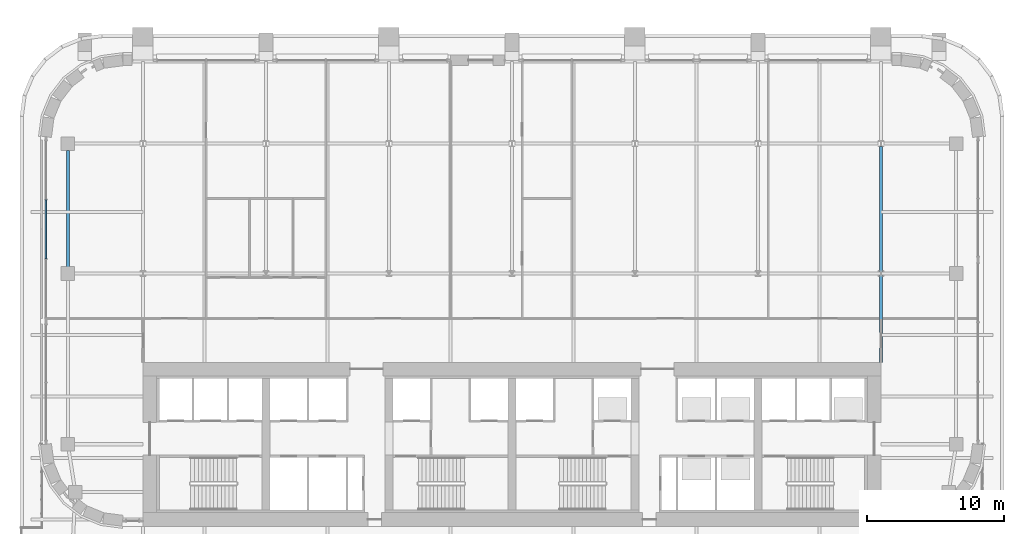
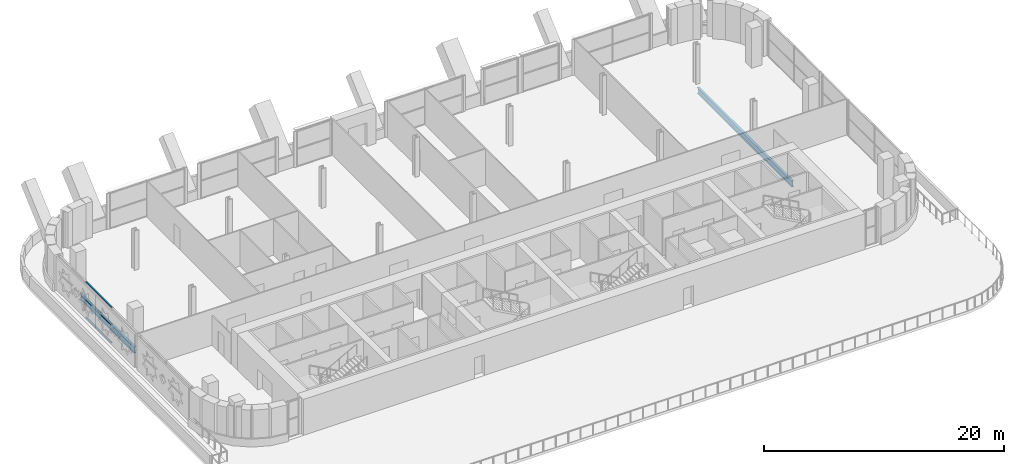
# One storey, part 7 of 26: 3 members, 2 beams, 1 element without a shape of its own.
"""IFC4 building model written with IfcOpenShell, lengths in metres."""

from ifc_helpers import new_model, si_unit, direction, frame, origin, origin_2d, place, context, subcontext, project, spatial, rectangle, i_section, extrude, material, material_profile, profile_set, type_object, element, aggregate, save


model = new_model("IFC4")

# Units and contexts
model_context = context("Model", 3, precision=1e-05, world=origin(), true_north=direction((0.0, 1.0)))
body_context = subcontext(model_context, "Body", "Model", "MODEL_VIEW")
ifc_project = project(units=[si_unit("LENGTHUNIT", "METRE"), si_unit("AREAUNIT", "SQUARE_METRE"), si_unit("VOLUMEUNIT", "CUBIC_METRE"), si_unit("PLANEANGLEUNIT", "RADIAN"), si_unit("MASSUNIT", "GRAM", prefix="KILO")], contexts=[model_context])

# Site, building, storey
site_placement = place(None, origin())
site = spatial("IfcSite", under=ifc_project, at=site_placement, CompositionType="ELEMENT")
building_placement = place(site_placement, origin())
building = spatial("IfcBuilding", under=site, at=building_placement, Name="Zellij Exchange Tower", CompositionType="ELEMENT")
storey_placement = place(building_placement, frame((0.0, 0.0, 156.5)))
storey = spatial("IfcBuildingStorey", under=building, at=storey_placement, Name="L35", CompositionType="ELEMENT", Elevation=156.5)

# Curtain wall, members
ifc_material_1 = material(Name="Aluminium frame, clear insulating glass", Category="aluminium")
curtain_wall_type = type_object("IfcCurtainWallType", Name="ENV-CW6 Sky-lobby glazing", PredefinedType="NOTDEFINED", material=ifc_material_1)
curtain_wall_placement = place(storey_placement, origin())
curtain_wall = element("IfcCurtainWall", 1, at=curtain_wall_placement, inside=storey, type_object=curtain_wall_type, Name="cw.L35.21a", PredefinedType="NOTDEFINED")
ifc_material_2 = material(Name="Aluminium", Category="aluminium")
ifc_material_profile_1 = material_profile(ifc_material_2, rectangle(XDim=0.139892578125, YDim=0.06005859375, at=origin_2d()), Name="AL 140x60")
ifc_profile_set_1 = profile_set([ifc_material_profile_1], Name="Aluminium")
member_type = type_object("IfcMemberType", Name="ENV-CW6T Transom 140x60", PredefinedType="USERDEFINED", material=ifc_profile_set_1)
member_1_placement = place(storey_placement, frame((-34.10009765625, 9.8876953125, 0.030029296875), z_axis=(0.0, -1.0, 0.0), x_axis=(1.0, 0.0, 0.0)))
member_1 = element("IfcMember", 2, at=member_1_placement, type_object=member_type, Name="CW6 transom 2.1", ObjectType="TRANSOM", PredefinedType="USERDEFINED", context=body_context, shape_type="SweptSolid", body=[
    extrude(rectangle(XDim=0.139892578125, YDim=0.06005859375, at=origin_2d()), origin(), (0.0, 0.0, 1.0), 4.296142578125),
])
member_2_placement = place(storey_placement, frame((-34.10009765625, 9.8876953125, 1.824951171875), z_axis=(0.0, -1.0, 0.0), x_axis=(1.0, 0.0, 0.0)))
member_2 = element("IfcMember", 3, at=member_2_placement, type_object=member_type, Name="CW6 transom 2.2", ObjectType="TRANSOM", PredefinedType="USERDEFINED", context=body_context, shape_type="SweptSolid", body=[
    extrude(rectangle(XDim=0.139892578125, YDim=0.06005859375, at=origin_2d()), origin(), (0.0, 0.0, 1.0), 4.296142578125),
])
member_3_placement = place(storey_placement, frame((-34.10009765625, 9.8876953125, 3.6201171875), z_axis=(0.0, -1.0, 0.0), x_axis=(1.0, 0.0, 0.0)))
member_3 = element("IfcMember", 4, at=member_3_placement, type_object=member_type, Name="CW6 transom 2.3", ObjectType="TRANSOM", PredefinedType="USERDEFINED", context=body_context, shape_type="SweptSolid", body=[
    extrude(rectangle(XDim=0.139892578125, YDim=0.06005859375, at=origin_2d()), origin(), (0.0, 0.0, 1.0), 4.296142578125),
])
aggregate(curtain_wall, [member_1, member_2, member_3])

# Beams
ifc_material_3 = material(Name="Structural steel ASTM A992 Gr 50", Category="steel")
ifc_material_profile_2 = material_profile(ifc_material_3, i_section(OverallWidth=0.22900390625, OverallDepth=0.612060546875, WebThickness=0.011962890625, FlangeThickness=0.01953125, at=origin_2d()), Name="W24x84")
ifc_profile_set_2 = profile_set([ifc_material_profile_2], Name="Structural steel ASTM A992 Gr 50")
beam_type_1 = type_object("IfcBeamType", Name="STR-EDGE GIRDER W24x84", PredefinedType="BEAM", material=ifc_profile_set_2)
beam_1_placement = place(storey_placement, frame((-32.5, 4.5, -0.606201171875), z_axis=(0.0, 1.0, 0.0), x_axis=(-1.0, 0.0, 0.0)))
element("IfcBeam", 5, at=beam_1_placement, inside=storey, type_object=beam_type_1, Name="EB6", PredefinedType="BEAM", context=body_context, shape_type="SweptSolid", body=[
    extrude(i_section(OverallWidth=0.22900390625, OverallDepth=0.612060546875, WebThickness=0.011962890625, FlangeThickness=0.01953125, at=origin_2d()), origin(), (0.0, 0.0, 1.0), 9.0),
])
ifc_material_profile_3 = material_profile(ifc_material_3, i_section(OverallWidth=0.22900390625, OverallDepth=0.612060546875, WebThickness=0.011962890625, FlangeThickness=0.01953125, at=origin_2d()), Name="W24x84")
ifc_profile_set_3 = profile_set([ifc_material_profile_3], Name="Structural steel ASTM A992 Gr 50")
beam_type_2 = type_object("IfcBeamType", Name="STR-GIRDER W24x84", PredefinedType="BEAM", material=ifc_profile_set_3)
beam_2_placement = place(storey_placement, frame((27.0, -2.0, -0.606201171875), z_axis=(0.0, 1.0, 0.0), x_axis=(-1.0, 0.0, 0.0)))
element("IfcBeam", 6, at=beam_2_placement, inside=storey, type_object=beam_type_2, Name="G4", PredefinedType="BEAM", context=body_context, shape_type="SweptSolid", body=[
    extrude(i_section(OverallWidth=0.22900390625, OverallDepth=0.612060546875, WebThickness=0.011962890625, FlangeThickness=0.01953125, at=origin_2d()), origin(), (0.0, 0.0, 1.0), 15.772705078125),
])

save(model, "model.ifc")
